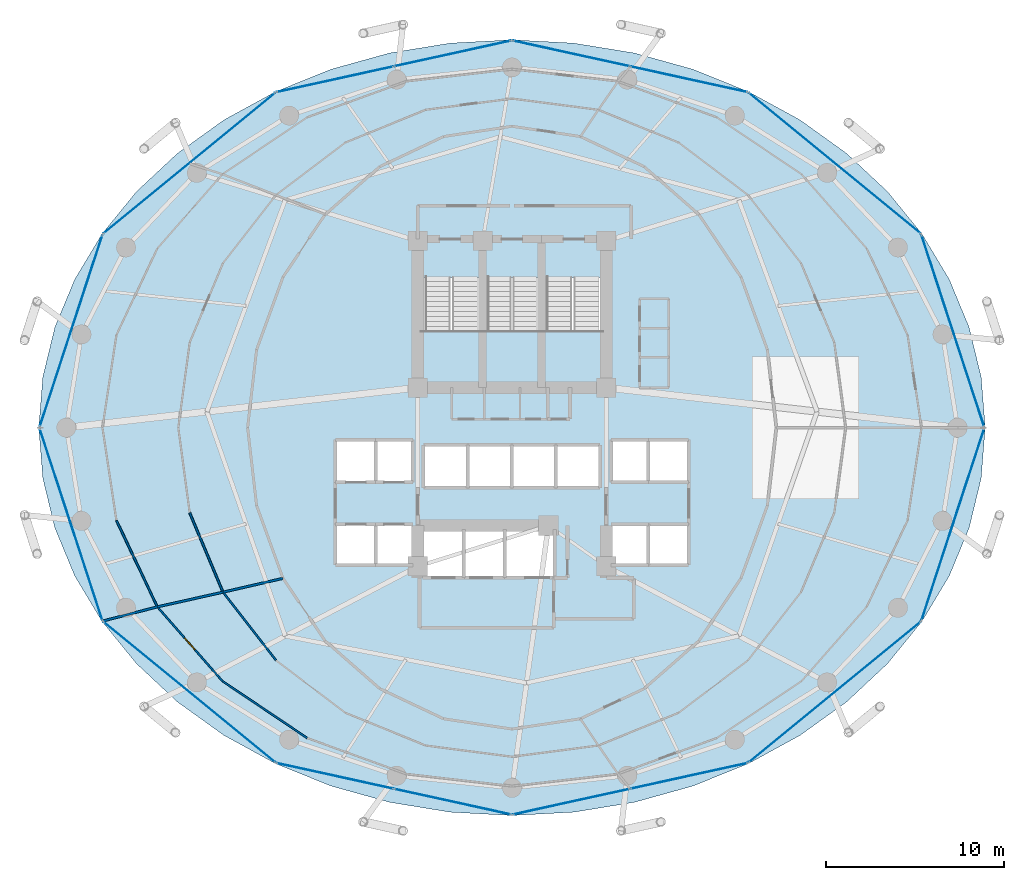
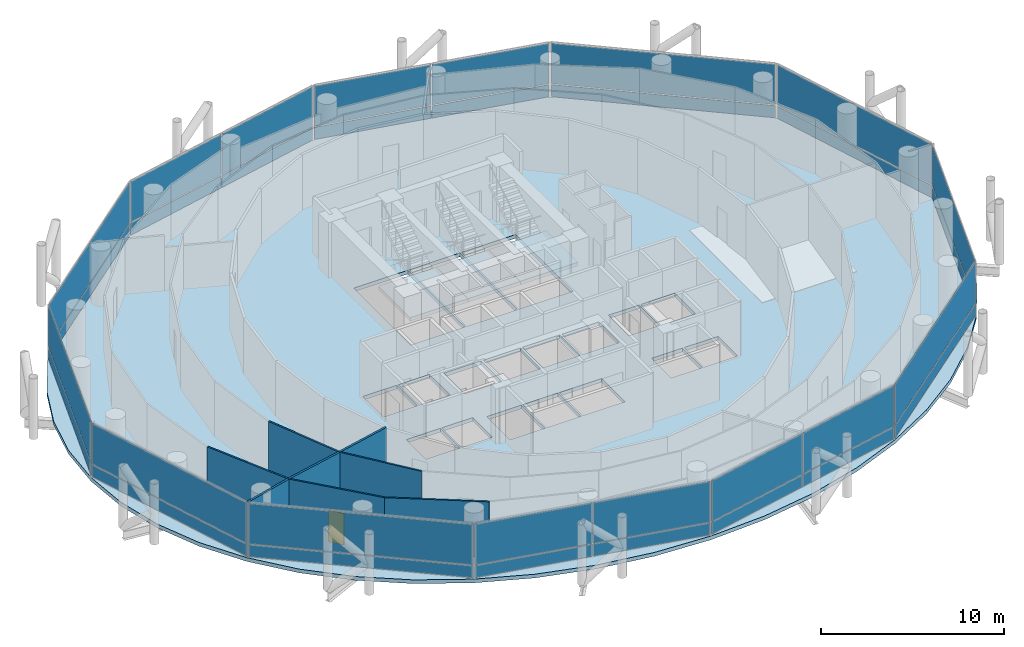
# One storey, part 20 of 27: 32 plates, 8 walls, 4 slabs, 1 door, 1 opening, 15 elements without a shape of their own.
"""IFC4 building model written with IfcOpenShell, lengths in metres."""

from ifc_helpers import new_model, si_unit, direction, frame, frame_2d, origin, origin_2d, place, context, subcontext, project, spatial, polyline, rectangle, outline, extrude, material, layer, layer_set, type_object, element, fill, aggregate, save


model = new_model("IFC4")

# Units and contexts
model_context = context("Model", 3, precision=1e-05, world=origin(), true_north=direction((0.0, 1.0)))
body_context = subcontext(model_context, "Body", "Model", "MODEL_VIEW")
ifc_project = project(units=[si_unit("LENGTHUNIT", "METRE"), si_unit("AREAUNIT", "SQUARE_METRE"), si_unit("VOLUMEUNIT", "CUBIC_METRE"), si_unit("PLANEANGLEUNIT", "RADIAN"), si_unit("MASSUNIT", "GRAM", prefix="KILO")], contexts=[model_context])

# Site, building, storey
site_placement = place(None, origin())
site = spatial("IfcSite", under=ifc_project, at=site_placement, CompositionType="ELEMENT")
building_placement = place(site_placement, origin())
building = spatial("IfcBuilding", under=site, at=building_placement, Name="Nuhasar Tower", CompositionType="ELEMENT")
storey_placement = place(building_placement, frame((0.0, 0.0, 102.0)))
storey = spatial("IfcBuildingStorey", under=building, at=storey_placement, Name="L24", CompositionType="ELEMENT", Elevation=102.0)

# Curtain wall, plate
ifc_material_1 = material(Name="Aluminium 6063-T6", Category="aluminium")
ifc_layer_1 = layer(ifc_material_1, 0.199951171875)
ifc_layer_set_1 = layer_set([ifc_layer_1], Name="Aluminium 6063-T6")
curtain_wall_type = type_object("IfcCurtainWallType", Name="CW-Z1-OFF", PredefinedType="NOTDEFINED", material=ifc_layer_set_1)
curtain_wall_1_placement = place(storey_placement, origin())
curtain_wall_1 = element("IfcCurtainWall", 1, at=curtain_wall_1_placement, inside=storey, type_object=curtain_wall_type, Name="L24 Unitised Curtain Wall 01", PredefinedType="NOTDEFINED")
ifc_material_2 = material(Name="Glass Double Low-E", Category="glass")
ifc_layer_2 = layer(ifc_material_2, 0.028076171875)
ifc_layer_set_2 = layer_set([ifc_layer_2], Name="Glass Double Low-E")
plate_type_1 = type_object("IfcPlateType", Name="CW-PANEL-GLZ", PredefinedType="CURTAIN_PANEL", material=ifc_layer_set_2)
plate_1_placement = place(storey_placement, frame((63.781005859375, 32.239990234375, 0.9326171875), z_axis=(0.0, 0.0, 1.0), x_axis=(-0.310823849997, 0.950467534571, 0.0)))
plate_1 = element("IfcPlate", 2, at=plate_1_placement, type_object=plate_type_1, Name="CW-Z1 panel 1.2", PredefinedType="CURTAIN_PANEL", context=body_context, shape_type="SweptSolid", body=[
    extrude(rectangle(XDim=11.31689453125, YDim=0.028076171875, at=origin_2d()), origin(), (0.0, 0.0, 1.0), 2.702392578125),
])

curtain_wall_2_placement = place(storey_placement, origin())
curtain_wall_2 = element("IfcCurtainWall", 3, at=curtain_wall_2_placement, inside=storey, type_object=curtain_wall_type, Name="L24 Unitised Curtain Wall 02", PredefinedType="NOTDEFINED")
plate_2_placement = place(storey_placement, frame((57.14111328125, 41.66259765625, 0.9326171875), z_axis=(0.0, 0.0, 1.0), x_axis=(-0.773542364946, 0.633744593376, 0.0)))
plate_2 = element("IfcPlate", 4, at=plate_2_placement, type_object=plate_type_1, Name="CW-Z1 panel 1.2", PredefinedType="CURTAIN_PANEL", context=body_context, shape_type="SweptSolid", body=[
    extrude(rectangle(XDim=12.438232421875, YDim=0.028076171875, at=origin_2d()), origin(), (0.0, 0.0, 1.0), 2.702392578125),
])

# Curtain wall, plates
curtain_wall_3_placement = place(storey_placement, origin())
curtain_wall_3 = element("IfcCurtainWall", 5, at=curtain_wall_3_placement, inside=storey, type_object=curtain_wall_type, Name="L24 Unitised Curtain Wall 03", PredefinedType="NOTDEFINED")
plate_3_placement = place(storey_placement, frame((48.944091796875, 46.377197265625, 0.9326171875), z_axis=(0.0, 0.0, 1.0), x_axis=(-0.976746221544, 0.214398737637, 0.0)))
plate_3 = element("IfcPlate", 6, at=plate_3_placement, type_object=plate_type_1, Name="CW-Z1 panel 1.2", PredefinedType="CURTAIN_PANEL", context=body_context, shape_type="SweptSolid", body=[
    extrude(rectangle(XDim=6.70068359375, YDim=0.028076171875, at=origin_2d()), origin(), (0.0, 0.0, 1.0), 2.702392578125),
])
plate_4_placement = place(storey_placement, frame((42.3359375, 47.827880859375, 0.9326171875), z_axis=(0.0, 0.0, 1.0), x_axis=(-0.976746221544, 0.214398737637, 0.0)))
plate_4 = element("IfcPlate", 7, at=plate_4_placement, type_object=plate_type_1, Name="CW-Z1 panel 2.2", PredefinedType="CURTAIN_PANEL", context=body_context, shape_type="SweptSolid", body=[
    extrude(rectangle(XDim=6.70068359375, YDim=0.028076171875, at=origin_2d()), origin(), (0.0, 0.0, 1.0), 2.702392578125),
])

curtain_wall_4_placement = place(storey_placement, origin())
curtain_wall_4 = element("IfcCurtainWall", 8, at=curtain_wall_4_placement, inside=storey, type_object=curtain_wall_type, Name="L24 Unitised Curtain Wall 04", PredefinedType="NOTDEFINED")
plate_5_placement = place(storey_placement, frame((35.6640625, 47.827880859375, 0.9326171875), z_axis=(0.0, 0.0, 1.0), x_axis=(-0.976746221544, -0.214398737637, 0.0)))
plate_5 = element("IfcPlate", 9, at=plate_5_placement, type_object=plate_type_1, Name="CW-Z1 panel 1.2", PredefinedType="CURTAIN_PANEL", context=body_context, shape_type="SweptSolid", body=[
    extrude(rectangle(XDim=6.70068359375, YDim=0.028076171875, at=origin_2d()), origin(), (0.0, 0.0, 1.0), 2.702392578125),
])
plate_6_placement = place(storey_placement, frame((29.055908203125, 46.377197265625, 0.9326171875), z_axis=(0.0, 0.0, 1.0), x_axis=(-0.976746221544, -0.214398737637, 0.0)))
plate_6 = element("IfcPlate", 10, at=plate_6_placement, type_object=plate_type_1, Name="CW-Z1 panel 2.2", PredefinedType="CURTAIN_PANEL", context=body_context, shape_type="SweptSolid", body=[
    extrude(rectangle(XDim=6.70068359375, YDim=0.028076171875, at=origin_2d()), origin(), (0.0, 0.0, 1.0), 2.702392578125),
])

# Curtain wall, plate
curtain_wall_5_placement = place(storey_placement, origin())
curtain_wall_5 = element("IfcCurtainWall", 11, at=curtain_wall_5_placement, inside=storey, type_object=curtain_wall_type, Name="L24 Unitised Curtain Wall 05", PredefinedType="NOTDEFINED")
plate_7_placement = place(storey_placement, frame((20.85888671875, 41.66259765625, 0.9326171875), z_axis=(0.0, 0.0, 1.0), x_axis=(-0.773542364946, -0.633744593376, 0.0)))
plate_7 = element("IfcPlate", 12, at=plate_7_placement, type_object=plate_type_1, Name="CW-Z1 panel 1.2", PredefinedType="CURTAIN_PANEL", context=body_context, shape_type="SweptSolid", body=[
    extrude(rectangle(XDim=12.438232421875, YDim=0.028076171875, at=origin_2d()), origin(), (0.0, 0.0, 1.0), 2.702392578125),
])

curtain_wall_6_placement = place(storey_placement, origin())
curtain_wall_6 = element("IfcCurtainWall", 13, at=curtain_wall_6_placement, inside=storey, type_object=curtain_wall_type, Name="L24 Unitised Curtain Wall 06", PredefinedType="NOTDEFINED")
plate_8_placement = place(storey_placement, frame((14.218994140625, 32.239990234375, 0.9326171875), z_axis=(0.0, 0.0, 1.0), x_axis=(-0.310823849997, -0.950467534571, 0.0)))
plate_8 = element("IfcPlate", 14, at=plate_8_placement, type_object=plate_type_1, Name="CW-Z1 panel 1.2", PredefinedType="CURTAIN_PANEL", context=body_context, shape_type="SweptSolid", body=[
    extrude(rectangle(XDim=11.31689453125, YDim=0.028076171875, at=origin_2d()), origin(), (0.0, 0.0, 1.0), 2.702392578125),
])

curtain_wall_7_placement = place(storey_placement, origin())
curtain_wall_7 = element("IfcCurtainWall", 15, at=curtain_wall_7_placement, inside=storey, type_object=curtain_wall_type, Name="L24 Unitised Curtain Wall 07", PredefinedType="NOTDEFINED")
plate_9_placement = place(storey_placement, frame((14.218994140625, 21.360107421875, 0.9326171875), z_axis=(0.0, 0.0, 1.0), x_axis=(0.310823849997, -0.950467534571, 0.0)))
plate_9 = element("IfcPlate", 16, at=plate_9_placement, type_object=plate_type_1, Name="CW-Z1 panel 1.2", PredefinedType="CURTAIN_PANEL", context=body_context, shape_type="SweptSolid", body=[
    extrude(rectangle(XDim=11.31689453125, YDim=0.028076171875, at=origin_2d()), origin(), (0.0, 0.0, 1.0), 2.702392578125),
])

curtain_wall_8_placement = place(storey_placement, origin())
curtain_wall_8 = element("IfcCurtainWall", 17, at=curtain_wall_8_placement, inside=storey, type_object=curtain_wall_type, Name="L24 Unitised Curtain Wall 08", PredefinedType="NOTDEFINED")
plate_10_placement = place(storey_placement, frame((20.85888671875, 11.9375, 0.9326171875), z_axis=(0.0, 0.0, 1.0), x_axis=(0.773542364946, -0.633744593376, 0.0)))
plate_10 = element("IfcPlate", 18, at=plate_10_placement, type_object=plate_type_1, Name="CW-Z1 panel 1.2", PredefinedType="CURTAIN_PANEL", context=body_context, shape_type="SweptSolid", body=[
    extrude(rectangle(XDim=12.438232421875, YDim=0.028076171875, at=origin_2d()), origin(), (0.0, 0.0, 1.0), 2.702392578125),
])

# Curtain wall, plates
curtain_wall_9_placement = place(storey_placement, origin())
curtain_wall_9 = element("IfcCurtainWall", 19, at=curtain_wall_9_placement, inside=storey, type_object=curtain_wall_type, Name="L24 Unitised Curtain Wall 09", PredefinedType="NOTDEFINED")
plate_11_placement = place(storey_placement, frame((29.055908203125, 7.22265625, 0.9326171875), z_axis=(0.0, 0.0, 1.0), x_axis=(0.976746221544, -0.214398737637, 0.0)))
plate_11 = element("IfcPlate", 20, at=plate_11_placement, type_object=plate_type_1, Name="CW-Z1 panel 1.2", PredefinedType="CURTAIN_PANEL", context=body_context, shape_type="SweptSolid", body=[
    extrude(rectangle(XDim=6.70068359375, YDim=0.028076171875, at=origin_2d()), origin(), (0.0, 0.0, 1.0), 2.702392578125),
])
plate_12_placement = place(storey_placement, frame((35.6640625, 5.772216796875, 0.9326171875), z_axis=(0.0, 0.0, 1.0), x_axis=(0.976746221544, -0.214398737637, 0.0)))
plate_12 = element("IfcPlate", 21, at=plate_12_placement, type_object=plate_type_1, Name="CW-Z1 panel 2.2", PredefinedType="CURTAIN_PANEL", context=body_context, shape_type="SweptSolid", body=[
    extrude(rectangle(XDim=6.70068359375, YDim=0.028076171875, at=origin_2d()), origin(), (0.0, 0.0, 1.0), 2.702392578125),
])

curtain_wall_10_placement = place(storey_placement, origin())
curtain_wall_10 = element("IfcCurtainWall", 22, at=curtain_wall_10_placement, inside=storey, type_object=curtain_wall_type, Name="L24 Unitised Curtain Wall 10", PredefinedType="NOTDEFINED")
plate_13_placement = place(storey_placement, frame((42.3359375, 5.772216796875, 0.9326171875), z_axis=(0.0, 0.0, 1.0), x_axis=(0.976746221544, 0.214398737637, 0.0)))
plate_13 = element("IfcPlate", 23, at=plate_13_placement, type_object=plate_type_1, Name="CW-Z1 panel 1.2", PredefinedType="CURTAIN_PANEL", context=body_context, shape_type="SweptSolid", body=[
    extrude(rectangle(XDim=6.70068359375, YDim=0.028076171875, at=origin_2d()), origin(), (0.0, 0.0, 1.0), 2.702392578125),
])
plate_14_placement = place(storey_placement, frame((48.944091796875, 7.22265625, 0.9326171875), z_axis=(0.0, 0.0, 1.0), x_axis=(0.976746221544, 0.214398737637, 0.0)))
plate_14 = element("IfcPlate", 24, at=plate_14_placement, type_object=plate_type_1, Name="CW-Z1 panel 2.2", PredefinedType="CURTAIN_PANEL", context=body_context, shape_type="SweptSolid", body=[
    extrude(rectangle(XDim=6.70068359375, YDim=0.028076171875, at=origin_2d()), origin(), (0.0, 0.0, 1.0), 2.702392578125),
])

# Curtain wall, plate
curtain_wall_11_placement = place(storey_placement, origin())
curtain_wall_11 = element("IfcCurtainWall", 25, at=curtain_wall_11_placement, inside=storey, type_object=curtain_wall_type, Name="L24 Unitised Curtain Wall 11", PredefinedType="NOTDEFINED")
plate_15_placement = place(storey_placement, frame((57.14111328125, 11.9375, 0.9326171875), z_axis=(0.0, 0.0, 1.0), x_axis=(0.773542364946, 0.633744593376, 0.0)))
plate_15 = element("IfcPlate", 26, at=plate_15_placement, type_object=plate_type_1, Name="CW-Z1 panel 1.2", PredefinedType="CURTAIN_PANEL", context=body_context, shape_type="SweptSolid", body=[
    extrude(rectangle(XDim=12.438232421875, YDim=0.028076171875, at=origin_2d()), origin(), (0.0, 0.0, 1.0), 2.702392578125),
])

curtain_wall_12_placement = place(storey_placement, origin())
curtain_wall_12 = element("IfcCurtainWall", 27, at=curtain_wall_12_placement, inside=storey, type_object=curtain_wall_type, Name="L24 Unitised Curtain Wall 12", PredefinedType="NOTDEFINED")
plate_16_placement = place(storey_placement, frame((63.781005859375, 21.360107421875, 0.9326171875), z_axis=(0.0, 0.0, 1.0), x_axis=(0.310823849997, 0.950467534571, 0.0)))
plate_16 = element("IfcPlate", 28, at=plate_16_placement, type_object=plate_type_1, Name="CW-Z1 panel 1.2", PredefinedType="CURTAIN_PANEL", context=body_context, shape_type="SweptSolid", body=[
    extrude(rectangle(XDim=11.31689453125, YDim=0.028076171875, at=origin_2d()), origin(), (0.0, 0.0, 1.0), 2.702392578125),
])

# Plate
ifc_material_3 = material(Name="Glass Spandrel", Category="glass")
ifc_layer_3 = layer(ifc_material_3, 0.035888671875)
ifc_layer_set_3 = layer_set([ifc_layer_3], Name="Glass Spandrel")
plate_type_2 = type_object("IfcPlateType", Name="CW-PANEL-SPN", PredefinedType="CURTAIN_PANEL", material=ifc_layer_set_3)
plate_17_placement = place(storey_placement, frame((63.781005859375, 32.239990234375, 0.06494140625), z_axis=(0.0, 0.0, 1.0), x_axis=(-0.310823849997, 0.950467534571, 0.0)))
plate_17 = element("IfcPlate", 29, at=plate_17_placement, type_object=plate_type_2, Name="CW-Z1 panel 1.1", PredefinedType="CURTAIN_PANEL", context=body_context, shape_type="SweptSolid", body=[
    extrude(rectangle(XDim=11.31689453125, YDim=0.035888671875, at=origin_2d()), origin(), (0.0, 0.0, 1.0), 0.802490234375),
])

aggregate(curtain_wall_1, [plate_17, plate_1])

plate_18_placement = place(storey_placement, frame((57.14111328125, 41.66259765625, 0.06494140625), z_axis=(0.0, 0.0, 1.0), x_axis=(-0.773542364946, 0.633744593376, 0.0)))
plate_18 = element("IfcPlate", 30, at=plate_18_placement, type_object=plate_type_2, Name="CW-Z1 panel 1.1", PredefinedType="CURTAIN_PANEL", context=body_context, shape_type="SweptSolid", body=[
    extrude(rectangle(XDim=12.438232421875, YDim=0.035888671875, at=origin_2d()), origin(), (0.0, 0.0, 1.0), 0.802490234375),
])

aggregate(curtain_wall_2, [plate_18, plate_2])

plate_19_placement = place(storey_placement, frame((48.944091796875, 46.377197265625, 0.06494140625), z_axis=(0.0, 0.0, 1.0), x_axis=(-0.976746221544, 0.214398737637, 0.0)))
plate_19 = element("IfcPlate", 31, at=plate_19_placement, type_object=plate_type_2, Name="CW-Z1 panel 1.1", PredefinedType="CURTAIN_PANEL", context=body_context, shape_type="SweptSolid", body=[
    extrude(rectangle(XDim=6.70068359375, YDim=0.035888671875, at=origin_2d()), origin(), (0.0, 0.0, 1.0), 0.802490234375),
])

plate_20_placement = place(storey_placement, frame((42.3359375, 47.827880859375, 0.06494140625), z_axis=(0.0, 0.0, 1.0), x_axis=(-0.976746221544, 0.214398737637, 0.0)))
plate_20 = element("IfcPlate", 32, at=plate_20_placement, type_object=plate_type_2, Name="CW-Z1 panel 2.1", PredefinedType="CURTAIN_PANEL", context=body_context, shape_type="SweptSolid", body=[
    extrude(rectangle(XDim=6.70068359375, YDim=0.035888671875, at=origin_2d()), origin(), (0.0, 0.0, 1.0), 0.802490234375),
])

aggregate(curtain_wall_3, [plate_19, plate_3, plate_20, plate_4])

plate_21_placement = place(storey_placement, frame((35.6640625, 47.827880859375, 0.06494140625), z_axis=(0.0, 0.0, 1.0), x_axis=(-0.976746221544, -0.214398737637, 0.0)))
plate_21 = element("IfcPlate", 33, at=plate_21_placement, type_object=plate_type_2, Name="CW-Z1 panel 1.1", PredefinedType="CURTAIN_PANEL", context=body_context, shape_type="SweptSolid", body=[
    extrude(rectangle(XDim=6.70068359375, YDim=0.035888671875, at=origin_2d()), origin(), (0.0, 0.0, 1.0), 0.802490234375),
])

plate_22_placement = place(storey_placement, frame((29.055908203125, 46.377197265625, 0.06494140625), z_axis=(0.0, 0.0, 1.0), x_axis=(-0.976746221544, -0.214398737637, 0.0)))
plate_22 = element("IfcPlate", 34, at=plate_22_placement, type_object=plate_type_2, Name="CW-Z1 panel 2.1", PredefinedType="CURTAIN_PANEL", context=body_context, shape_type="SweptSolid", body=[
    extrude(rectangle(XDim=6.70068359375, YDim=0.035888671875, at=origin_2d()), origin(), (0.0, 0.0, 1.0), 0.802490234375),
])

aggregate(curtain_wall_4, [plate_21, plate_5, plate_22, plate_6])

plate_23_placement = place(storey_placement, frame((20.85888671875, 41.66259765625, 0.06494140625), z_axis=(0.0, 0.0, 1.0), x_axis=(-0.773542364946, -0.633744593376, 0.0)))
plate_23 = element("IfcPlate", 35, at=plate_23_placement, type_object=plate_type_2, Name="CW-Z1 panel 1.1", PredefinedType="CURTAIN_PANEL", context=body_context, shape_type="SweptSolid", body=[
    extrude(rectangle(XDim=12.438232421875, YDim=0.035888671875, at=origin_2d()), origin(), (0.0, 0.0, 1.0), 0.802490234375),
])

aggregate(curtain_wall_5, [plate_23, plate_7])

plate_24_placement = place(storey_placement, frame((14.218994140625, 32.239990234375, 0.06494140625), z_axis=(0.0, 0.0, 1.0), x_axis=(-0.310823849997, -0.950467534571, 0.0)))
plate_24 = element("IfcPlate", 36, at=plate_24_placement, type_object=plate_type_2, Name="CW-Z1 panel 1.1", PredefinedType="CURTAIN_PANEL", context=body_context, shape_type="SweptSolid", body=[
    extrude(rectangle(XDim=11.31689453125, YDim=0.035888671875, at=origin_2d()), origin(), (0.0, 0.0, 1.0), 0.802490234375),
])

aggregate(curtain_wall_6, [plate_24, plate_8])

plate_25_placement = place(storey_placement, frame((14.218994140625, 21.360107421875, 0.06494140625), z_axis=(0.0, 0.0, 1.0), x_axis=(0.310823849997, -0.950467534571, 0.0)))
plate_25 = element("IfcPlate", 37, at=plate_25_placement, type_object=plate_type_2, Name="CW-Z1 panel 1.1", PredefinedType="CURTAIN_PANEL", context=body_context, shape_type="SweptSolid", body=[
    extrude(rectangle(XDim=11.31689453125, YDim=0.035888671875, at=origin_2d()), origin(), (0.0, 0.0, 1.0), 0.802490234375),
])

aggregate(curtain_wall_7, [plate_25, plate_9])

plate_26_placement = place(storey_placement, frame((20.85888671875, 11.9375, 0.06494140625), z_axis=(0.0, 0.0, 1.0), x_axis=(0.773542364946, -0.633744593376, 0.0)))
plate_26 = element("IfcPlate", 38, at=plate_26_placement, type_object=plate_type_2, Name="CW-Z1 panel 1.1", PredefinedType="CURTAIN_PANEL", context=body_context, shape_type="SweptSolid", body=[
    extrude(rectangle(XDim=12.438232421875, YDim=0.035888671875, at=origin_2d()), origin(), (0.0, 0.0, 1.0), 0.802490234375),
])

aggregate(curtain_wall_8, [plate_26, plate_10])

plate_27_placement = place(storey_placement, frame((29.055908203125, 7.22265625, 0.06494140625), z_axis=(0.0, 0.0, 1.0), x_axis=(0.976746221544, -0.214398737637, 0.0)))
plate_27 = element("IfcPlate", 39, at=plate_27_placement, type_object=plate_type_2, Name="CW-Z1 panel 1.1", PredefinedType="CURTAIN_PANEL", context=body_context, shape_type="SweptSolid", body=[
    extrude(rectangle(XDim=6.70068359375, YDim=0.035888671875, at=origin_2d()), origin(), (0.0, 0.0, 1.0), 0.802490234375),
])

plate_28_placement = place(storey_placement, frame((35.6640625, 5.772216796875, 0.06494140625), z_axis=(0.0, 0.0, 1.0), x_axis=(0.976746221544, -0.214398737637, 0.0)))
plate_28 = element("IfcPlate", 40, at=plate_28_placement, type_object=plate_type_2, Name="CW-Z1 panel 2.1", PredefinedType="CURTAIN_PANEL", context=body_context, shape_type="SweptSolid", body=[
    extrude(rectangle(XDim=6.70068359375, YDim=0.035888671875, at=origin_2d()), origin(), (0.0, 0.0, 1.0), 0.802490234375),
])

aggregate(curtain_wall_9, [plate_27, plate_11, plate_28, plate_12])

plate_29_placement = place(storey_placement, frame((42.3359375, 5.772216796875, 0.06494140625), z_axis=(0.0, 0.0, 1.0), x_axis=(0.976746221544, 0.214398737637, 0.0)))
plate_29 = element("IfcPlate", 41, at=plate_29_placement, type_object=plate_type_2, Name="CW-Z1 panel 1.1", PredefinedType="CURTAIN_PANEL", context=body_context, shape_type="SweptSolid", body=[
    extrude(rectangle(XDim=6.70068359375, YDim=0.035888671875, at=origin_2d()), origin(), (0.0, 0.0, 1.0), 0.802490234375),
])

plate_30_placement = place(storey_placement, frame((48.944091796875, 7.22265625, 0.06494140625), z_axis=(0.0, 0.0, 1.0), x_axis=(0.976746221544, 0.214398737637, 0.0)))
plate_30 = element("IfcPlate", 42, at=plate_30_placement, type_object=plate_type_2, Name="CW-Z1 panel 2.1", PredefinedType="CURTAIN_PANEL", context=body_context, shape_type="SweptSolid", body=[
    extrude(rectangle(XDim=6.70068359375, YDim=0.035888671875, at=origin_2d()), origin(), (0.0, 0.0, 1.0), 0.802490234375),
])

aggregate(curtain_wall_10, [plate_29, plate_13, plate_30, plate_14])

plate_31_placement = place(storey_placement, frame((57.14111328125, 11.9375, 0.06494140625), z_axis=(0.0, 0.0, 1.0), x_axis=(0.773542364946, 0.633744593376, 0.0)))
plate_31 = element("IfcPlate", 43, at=plate_31_placement, type_object=plate_type_2, Name="CW-Z1 panel 1.1", PredefinedType="CURTAIN_PANEL", context=body_context, shape_type="SweptSolid", body=[
    extrude(rectangle(XDim=12.438232421875, YDim=0.035888671875, at=origin_2d()), origin(), (0.0, 0.0, 1.0), 0.802490234375),
])

aggregate(curtain_wall_11, [plate_31, plate_15])

plate_32_placement = place(storey_placement, frame((63.781005859375, 21.360107421875, 0.06494140625), z_axis=(0.0, 0.0, 1.0), x_axis=(0.310823849997, 0.950467534571, 0.0)))
plate_32 = element("IfcPlate", 44, at=plate_32_placement, type_object=plate_type_2, Name="CW-Z1 panel 1.1", PredefinedType="CURTAIN_PANEL", context=body_context, shape_type="SweptSolid", body=[
    extrude(rectangle(XDim=11.31689453125, YDim=0.035888671875, at=origin_2d()), origin(), (0.0, 0.0, 1.0), 0.802490234375),
])

aggregate(curtain_wall_12, [plate_32, plate_16])

# Stair, slab
ifc_material_4 = material(Name="Concrete C45/55", Category="concrete")
stair_type_1 = type_object("IfcStairType", Name="STR-ST-01-2F-24R-1688", PredefinedType="HALF_TURN_STAIR", material=ifc_material_4)
stair_1_placement = place(storey_placement, origin())
stair_1 = element("IfcStair", 45, at=stair_1_placement, inside=storey, type_object=stair_type_1, Name="L24 Exit Stair ST-01", PredefinedType="HALF_TURN_STAIR")
ifc_layer_4 = layer(ifc_material_4, 0.239990234375)
ifc_layer_set_4 = layer_set([ifc_layer_4], Name="Concrete C45/55")
slab_type_1 = type_object("IfcSlabType", Name="SLB-STAIR-LND-240", PredefinedType="LANDING", material=ifc_layer_set_4)
slab_1_placement = place(storey_placement, frame((0.0, 0.0, 1.784912109375)))
slab_1 = element("IfcSlab", 46, at=slab_1_placement, type_object=slab_type_1, Name="ST-01 landing 1", PredefinedType="LANDING", context=body_context, shape_type="SweptSolid", body=[
    extrude(outline(polyline([(33.699951171875, 28.75), (37.35009765625, 28.75), (37.35009765625, 32.239990234375), (33.699951171875, 32.239990234375), (33.699951171875, 28.75)])), origin(), (0.0, 0.0, 1.0), 0.239990234375),
])
aggregate(stair_1, [slab_1])

stair_type_2 = type_object("IfcStairType", Name="STR-ST-03-2F-24R-1688", PredefinedType="HALF_TURN_STAIR", material=ifc_material_4)
stair_2_placement = place(storey_placement, origin())
stair_2 = element("IfcStair", 47, at=stair_2_placement, inside=storey, type_object=stair_type_2, Name="L24 Exit Stair ST-03", PredefinedType="HALF_TURN_STAIR")
slab_2_placement = place(storey_placement, frame((0.0, 0.0, 1.784912109375)))
slab_2 = element("IfcSlab", 48, at=slab_2_placement, type_object=slab_type_1, Name="ST-03 landing 1", PredefinedType="LANDING", context=body_context, shape_type="SweptSolid", body=[
    extrude(outline(polyline([(37.35009765625, 28.75), (40.64990234375, 28.75), (40.64990234375, 32.239990234375), (37.35009765625, 32.239990234375), (37.35009765625, 28.75)])), origin(), (0.0, 0.0, 1.0), 0.239990234375),
])
aggregate(stair_2, [slab_2])

stair_type_3 = type_object("IfcStairType", Name="STR-ST-02-2F-24R-1688", PredefinedType="HALF_TURN_STAIR", material=ifc_material_4)
stair_3_placement = place(storey_placement, origin())
stair_3 = element("IfcStair", 49, at=stair_3_placement, inside=storey, type_object=stair_type_3, Name="L24 Exit Stair ST-02", PredefinedType="HALF_TURN_STAIR")
slab_3_placement = place(storey_placement, frame((0.0, 0.0, 1.784912109375)))
slab_3 = element("IfcSlab", 50, at=slab_3_placement, type_object=slab_type_1, Name="ST-02 landing 1", PredefinedType="LANDING", context=body_context, shape_type="SweptSolid", body=[
    extrude(outline(polyline([(40.64990234375, 28.75), (44.300048828125, 28.75), (44.300048828125, 32.239990234375), (40.64990234375, 32.239990234375), (40.64990234375, 28.75)])), origin(), (0.0, 0.0, 1.0), 0.239990234375),
])
aggregate(stair_3, [slab_3])

# Slab
ifc_layer_5 = layer(ifc_material_4, 0.25)
ifc_layer_set_5 = layer_set([ifc_layer_5], Name="Concrete C45/55")
slab_type_2 = type_object("IfcSlabType", Name="SLB-Z1B-250", PredefinedType="FLOOR", material=ifc_layer_set_5)
slab_4_placement = place(storey_placement, frame((0.0, 0.0, -0.25)))
element("IfcSlab", 51, at=slab_4_placement, inside=storey, type_object=slab_type_2, Name="L24 Structural Slab", PredefinedType="FLOOR", context=body_context, shape_type="SweptSolid", body=[
    extrude(outline(polyline([(65.60009765625, 26.800048828125), (65.3720703125, 29.64501953125), (64.694091796875, 32.44189453125), (63.574951171875, 35.14208984375), (62.035888671875, 37.699951171875), (60.10302734375, 40.071044921875), (57.80908203125, 42.215087890625), (55.193115234375, 44.094970703125), (52.300048828125, 45.678955078125), (49.178955078125, 46.94091796875), (45.885009765625, 47.85693359375), (42.471923828125, 48.4130859375), (39.0, 48.60009765625), (35.528076171875, 48.4130859375), (32.114990234375, 47.85693359375), (28.821044921875, 46.94091796875), (25.699951171875, 45.678955078125), (22.806884765625, 44.094970703125), (20.19091796875, 42.215087890625), (17.89697265625, 40.071044921875), (15.964111328125, 37.699951171875), (14.425048828125, 35.14208984375), (13.305908203125, 32.44189453125), (12.6279296875, 29.64501953125), (12.39990234375, 26.800048828125), (12.6279296875, 23.955078125), (13.305908203125, 21.157958984375), (14.425048828125, 18.4580078125), (15.964111328125, 15.89990234375), (17.89697265625, 13.529052734375), (20.19091796875, 11.385009765625), (22.806884765625, 9.5048828125), (25.699951171875, 7.9208984375), (28.821044921875, 6.658935546875), (32.114990234375, 5.742919921875), (35.528076171875, 5.18701171875), (39.0, 5.0), (42.471923828125, 5.18701171875), (45.885009765625, 5.742919921875), (49.178955078125, 6.658935546875), (52.300048828125, 7.9208984375), (55.193115234375, 9.5048828125), (57.80908203125, 11.385009765625), (60.10302734375, 13.529052734375), (62.035888671875, 15.89990234375), (63.574951171875, 18.4580078125), (64.694091796875, 21.157958984375), (65.3720703125, 23.955078125), (65.60009765625, 26.800048828125)]), holes=[polyline([(33.8798828125, 35.25), (37.300048828125, 35.25), (37.300048828125, 29.0), (33.8798828125, 29.0), (33.8798828125, 35.25)]), polyline([(37.39990234375, 35.25), (40.60009765625, 35.25), (40.60009765625, 29.0), (37.39990234375, 29.0), (37.39990234375, 35.25)]), polyline([(40.699951171875, 35.25), (44.1201171875, 35.25), (44.1201171875, 29.0), (40.699951171875, 29.0), (40.699951171875, 35.25)]), polyline([(29.14990234375, 26.050048828125), (31.300048828125, 26.050048828125), (31.300048828125, 23.800048828125), (29.14990234375, 23.800048828125), (29.14990234375, 26.050048828125)]), polyline([(31.39990234375, 26.050048828125), (33.35009765625, 26.050048828125), (33.35009765625, 23.800048828125), (31.39990234375, 23.800048828125), (31.39990234375, 26.050048828125)]), polyline([(29.14990234375, 21.300048828125), (31.300048828125, 21.300048828125), (31.300048828125, 19.14990234375), (29.14990234375, 19.14990234375), (29.14990234375, 21.300048828125)]), polyline([(31.39990234375, 21.300048828125), (33.35009765625, 21.300048828125), (33.35009765625, 19.14990234375), (31.39990234375, 19.14990234375), (31.39990234375, 21.300048828125)]), polyline([(44.64990234375, 26.050048828125), (46.60009765625, 26.050048828125), (46.60009765625, 23.800048828125), (44.64990234375, 23.800048828125), (44.64990234375, 26.050048828125)]), polyline([(46.699951171875, 26.050048828125), (48.85009765625, 26.050048828125), (48.85009765625, 23.800048828125), (46.699951171875, 23.800048828125), (46.699951171875, 26.050048828125)]), polyline([(44.64990234375, 21.300048828125), (46.60009765625, 21.300048828125), (46.60009765625, 19.14990234375), (44.64990234375, 19.14990234375), (44.64990234375, 21.300048828125)]), polyline([(46.699951171875, 21.300048828125), (48.85009765625, 21.300048828125), (48.85009765625, 19.14990234375), (46.699951171875, 19.14990234375), (46.699951171875, 21.300048828125)]), polyline([(34.10009765625, 25.75), (36.43994140625, 25.75), (36.43994140625, 23.5), (34.10009765625, 23.5), (34.10009765625, 25.75)]), polyline([(36.580078125, 25.75), (38.919921875, 25.75), (38.919921875, 23.5), (36.580078125, 23.5), (36.580078125, 25.75)]), polyline([(39.06005859375, 25.75), (41.39990234375, 25.75), (41.39990234375, 23.5), (39.06005859375, 23.5), (39.06005859375, 25.75)]), polyline([(41.5400390625, 25.75), (43.8798828125, 25.75), (43.8798828125, 23.5), (41.5400390625, 23.5), (41.5400390625, 25.75)]), polyline([(34.050048828125, 21.0), (36.25, 21.0), (36.25, 18.449951171875), (34.050048828125, 18.449951171875), (34.050048828125, 21.0)]), polyline([(36.35009765625, 21.0), (38.550048828125, 21.0), (38.550048828125, 18.449951171875), (36.35009765625, 18.449951171875), (36.35009765625, 21.0)]), polyline([(38.64990234375, 21.0), (41.320068359375, 21.0), (41.320068359375, 18.449951171875), (38.64990234375, 18.449951171875), (38.64990234375, 21.0)])]), origin(), (0.0, 0.0, 1.0), 0.25),
])

# Walls
ifc_layer_6 = layer(ifc_material_1, 0.10009765625)
ifc_layer_set_6 = layer_set([ifc_layer_6], Name="Aluminium 6063-T6")
wall_type_1 = type_object("IfcWallType", Name="WL-MOVABLE-100", PredefinedType="MOVABLE", material=ifc_layer_set_6)
wall_1_placement = place(storey_placement, frame((20.884033203125, 22.012939453125, 0.0), z_axis=(0.0, 0.0, 1.0), x_axis=(0.387307971266, -0.921950397469, 0.0)))
element("IfcWall", 52, at=wall_1_placement, inside=storey, type_object=wall_type_1, Name="L24 Interior Partition OR1-03-26", PredefinedType="MOVABLE", context=body_context, shape_type="SweptSolid", body=[
    extrude(rectangle(XDim=4.838623046875, YDim=0.10009765625, at=frame_2d((2.41943359375, 0.0))), origin(), (0.0, 0.0, 1.0), 3.699951171875),
])
wall_2_placement = place(storey_placement, frame((16.76611328125, 21.5859375, 0.0), z_axis=(0.0, 0.0, 1.0), x_axis=(0.42788717079, -0.903832157578, 0.0)))
element("IfcWall", 53, at=wall_2_placement, inside=storey, type_object=wall_type_1, Name="L24 Interior Partition OR2-03-26", PredefinedType="MOVABLE", context=body_context, shape_type="SweptSolid", body=[
    extrude(rectangle(XDim=5.374755859375, YDim=0.10009765625, at=frame_2d((2.6875, 0.0))), origin(), (0.0, 0.0, 1.0), 3.699951171875),
])
wall_3_placement = place(storey_placement, frame((22.758056640625, 17.552001953125, 0.0), z_axis=(0.0, 0.0, 1.0), x_axis=(0.613975436768, -0.789325131391, 0.0)))
element("IfcWall", 54, at=wall_3_placement, inside=storey, type_object=wall_type_1, Name="L24 Interior Partition OR1-04-28", PredefinedType="MOVABLE", context=body_context, shape_type="SweptSolid", body=[
    extrude(rectangle(XDim=4.853515625, YDim=0.10009765625, at=frame_2d((2.4267578125, 0.0))), origin(), (0.0, 0.0, 1.0), 3.699951171875),
])

# Wall, opening, door
wall_4_placement = place(storey_placement, frame((19.06591796875, 16.72802734375, 0.0), z_axis=(0.0, 0.0, 1.0), x_axis=(0.659192649305, -0.751974102681, 0.0)))
wall_4 = element("IfcWall", 55, at=wall_4_placement, inside=storey, type_object=wall_type_1, Name="L24 Interior Partition OR2-04-28", PredefinedType="MOVABLE", context=body_context, shape_type="SweptSolid", body=[
    extrude(rectangle(XDim=5.549560546875, YDim=0.10009765625, at=frame_2d((2.77490234375, 0.0))), origin(), (0.0, 0.0, 1.0), 3.699951171875),
])
opening_placement = place(wall_4_placement, frame((2.324951171875, 0.0, 0.0)))
opening = element("IfcOpeningElement", 56, at=opening_placement, cuts=wall_4, Name="Opening DR-01", PredefinedType="OPENING", context=body_context, shape_type="SweptSolid", body=[
    extrude(rectangle(XDim=0.89990234375, YDim=2.10009765625, at=frame_2d((0.449951171875, 1.050048828125))), frame((0.0, 0.06005859375, 0.0), z_axis=(0.0, -1.0, 0.0), x_axis=(1.0, 0.0, 0.0)), (0.0, 0.0, 1.0), 0.1201171875),
])
ifc_material_5 = material(Name="Timber Oak", Category="wood")
door_type = type_object("IfcDoorType", Name="DR-ROOM-900", OperationType="NOTDEFINED", PredefinedType="DOOR", material=ifc_material_5)
door_placement = place(opening_placement, origin())
door = element("IfcDoor", 57, at=door_placement, inside=storey, type_object=door_type, Name="L24 Members Cigar Hall Outer Door", OperationType="SINGLE_SWING_RIGHT", OverallHeight=2.10009765625, OverallWidth=0.89990234375, PredefinedType="DOOR", context=body_context, shape_type="SweptSolid", body=[
    extrude(rectangle(XDim=0.89990234375, YDim=2.10009765625, at=frame_2d((0.449951171875, 1.050048828125))), frame((0.0, 0.02490234375, 0.0), z_axis=(0.0, -1.0, 0.0), x_axis=(1.0, 0.0, 0.0)), (0.0, 0.0, 1.0), 0.050048828125),
])
fill(opening, door)

# Walls
wall_5_placement = place(storey_placement, frame((22.72412109375, 12.554931640625, 0.0), z_axis=(0.0, 0.0, 1.0), x_axis=(0.830194424377, -0.557473961485, 0.0)))
element("IfcWall", 58, at=wall_5_placement, inside=storey, type_object=wall_type_1, Name="L24 Interior Partition OR2-04-30", PredefinedType="MOVABLE", context=body_context, shape_type="SweptSolid", body=[
    extrude(rectangle(XDim=5.741943359375, YDim=0.10009765625, at=frame_2d((2.87109375, 0.0))), origin(), (0.0, 0.0, 1.0), 3.699951171875),
])
ifc_material_6 = material(Name="Gypsum Board", Category="gypsum")
ifc_layer_7 = layer(ifc_material_6, 0.125)
ifc_layer_set_7 = layer_set([ifc_layer_7], Name="Gypsum Board")
wall_type_2 = type_object("IfcWallType", Name="WL-PART-125", PredefinedType="PARTITIONING", material=ifc_layer_set_7)
wall_6_placement = place(storey_placement, frame((26.131103515625, 18.330078125, 0.0), z_axis=(0.0, 0.0, 1.0), x_axis=(-0.974411399149, -0.224771940438, 0.0)))
element("IfcWall", 59, at=wall_6_placement, inside=storey, type_object=wall_type_2, Name="L24 Interior Partition ORAD7-28-S1", PredefinedType="PARTITIONING", context=body_context, shape_type="SweptSolid", body=[
    extrude(rectangle(XDim=3.461669921875, YDim=0.125, at=frame_2d((1.73095703125, 0.0))), origin(), (0.0, 0.0, 1.0), 3.699951171875),
])
wall_7_placement = place(storey_placement, frame((22.758056640625, 17.552001953125, 0.0), z_axis=(0.0, 0.0, 1.0), x_axis=(-0.975990773868, -0.217811866812, 0.0)))
element("IfcWall", 60, at=wall_7_placement, inside=storey, type_object=wall_type_2, Name="L24 Interior Partition ORAD7-28-S2", PredefinedType="PARTITIONING", context=body_context, shape_type="SweptSolid", body=[
    extrude(rectangle(XDim=3.782958984375, YDim=0.125, at=frame_2d((1.8916015625, 0.0))), origin(), (0.0, 0.0, 1.0), 3.699951171875),
])
wall_8_placement = place(storey_placement, frame((19.06591796875, 16.72802734375, 0.0), z_axis=(0.0, 0.0, 1.0), x_axis=(-0.967787254354, -0.251769399075, 0.0)))
element("IfcWall", 61, at=wall_8_placement, inside=storey, type_object=wall_type_2, Name="L24 Interior Partition ORAD7-28-S3", PredefinedType="PARTITIONING", context=body_context, shape_type="SweptSolid", body=[
    extrude(rectangle(XDim=3.137939453125, YDim=0.125, at=frame_2d((1.56884765625, 0.0))), origin(), (0.0, 0.0, 1.0), 3.699951171875),
])

save(model, "model.ifc")
